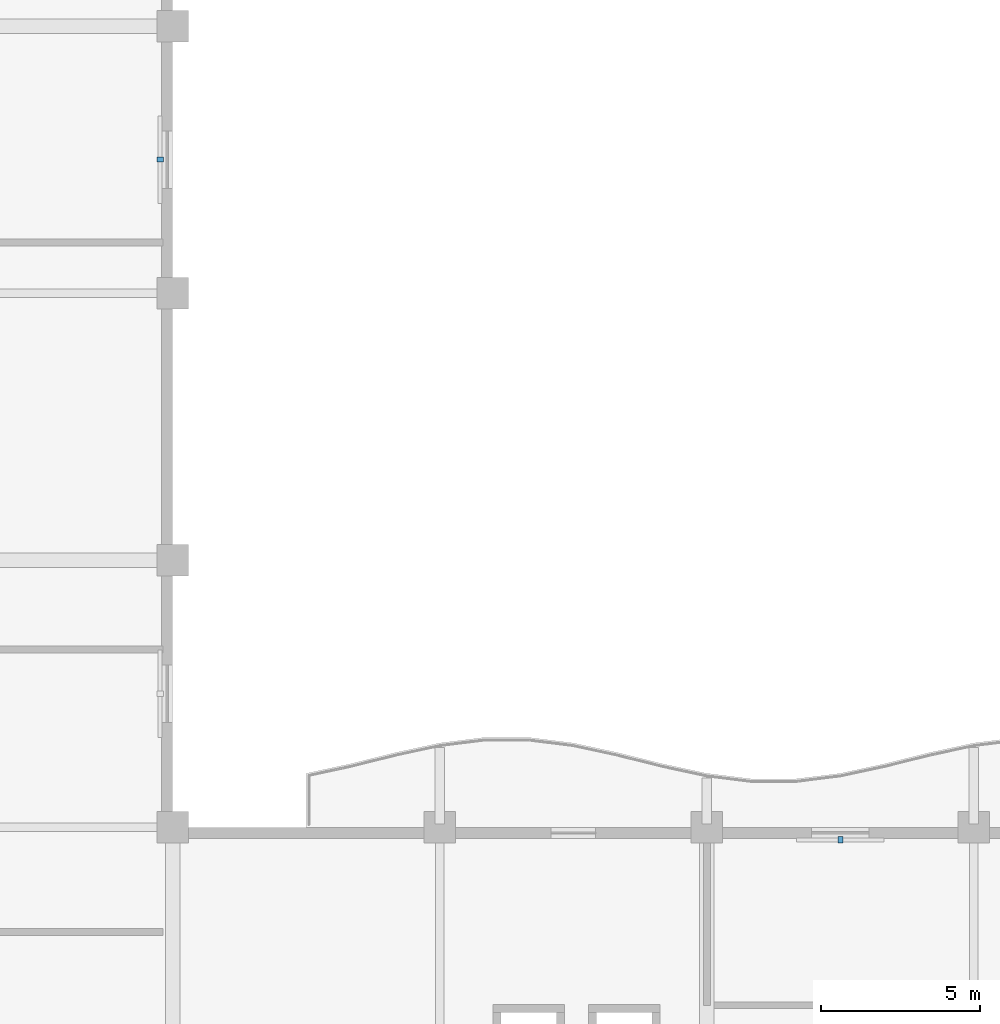
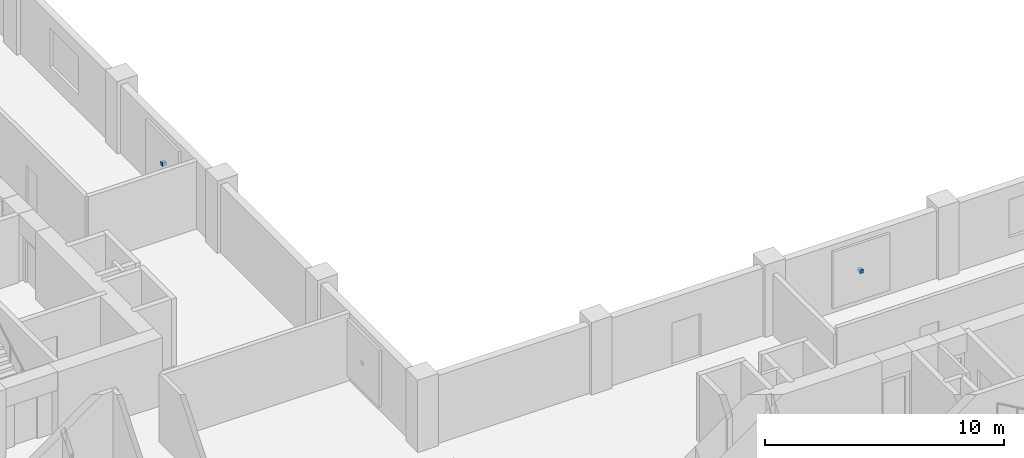
# One storey, part 12 of 16: 2 discrete accessories.
"""IFC4 building model written with IfcOpenShell, lengths in metres."""

from ifc_helpers import new_model, si_unit, direction, frame, origin, origin_2d, place, context, subcontext, project, spatial, rectangle, extrude, material, type_object, element, save


model = new_model("IFC4")

# Units and contexts
model_context = context("Model", 3, precision=1e-05, world=origin(), true_north=direction((0.0, 1.0)))
body_context = subcontext(model_context, "Body", "Model", "MODEL_VIEW")
ifc_project = project(units=[si_unit("LENGTHUNIT", "METRE"), si_unit("AREAUNIT", "SQUARE_METRE"), si_unit("VOLUMEUNIT", "CUBIC_METRE"), si_unit("PLANEANGLEUNIT", "RADIAN"), si_unit("MASSUNIT", "GRAM", prefix="KILO")], contexts=[model_context])

# Site, building, storey
site_placement = place(None, origin())
site = spatial("IfcSite", under=ifc_project, at=site_placement, CompositionType="ELEMENT")
building_placement = place(site_placement, origin())
building = spatial("IfcBuilding", under=site, at=building_placement, Name="Koriwani Terraces Tower", CompositionType="ELEMENT")
storey_placement = place(building_placement, frame((0.0, 0.0, 186.5)))
storey = spatial("IfcBuildingStorey", under=building, at=storey_placement, Name="L45", CompositionType="ELEMENT", Elevation=186.5)

# Discrete accessories
ifc_material = material(Name="Steel ASTM A572 Grade 50", Category="steel")
discrete_accessory_type = type_object("IfcDiscreteAccessoryType", Name="BAGUETTE_STANDOFF_BRACKET", PredefinedType="BRACKET", material=ifc_material)
for number, where, z_axis, x_axis, name in (
    (1, (33.2099609375, 54.60009765625, 1.64501953125), (0.0, 0.0, 1.0), (0.0, -1.0, 0.0), "L45 Terracotta Baguette Bracket (NW_IN-8)"),
    (2, (54.60009765625, 33.2099609375, 1.64501953125), (0.0, 0.0, 1.0), (1.0, 0.0, 0.0), "L45 Terracotta Baguette Bracket (NE-8)"),
):
    element("IfcDiscreteAccessory", number, at=place(storey_placement, frame(where, z_axis=z_axis, x_axis=x_axis)), inside=storey, type_object=discrete_accessory_type, Name=name, PredefinedType="BRACKET", context=body_context, shape_type="SweptSolid", body=[
        extrude(rectangle(XDim=0.159912109375, YDim=0.199951171875, at=origin_2d()), origin(), (0.0, 0.0, 1.0), 0.179931640625),
    ])

save(model, "model.ifc")
